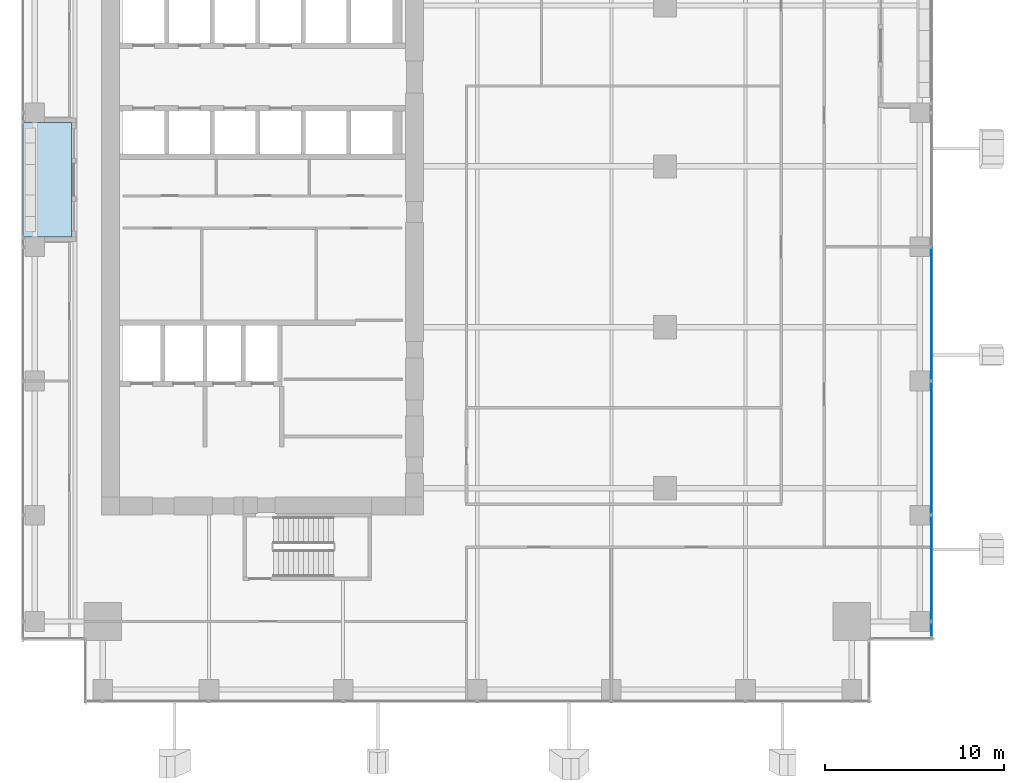
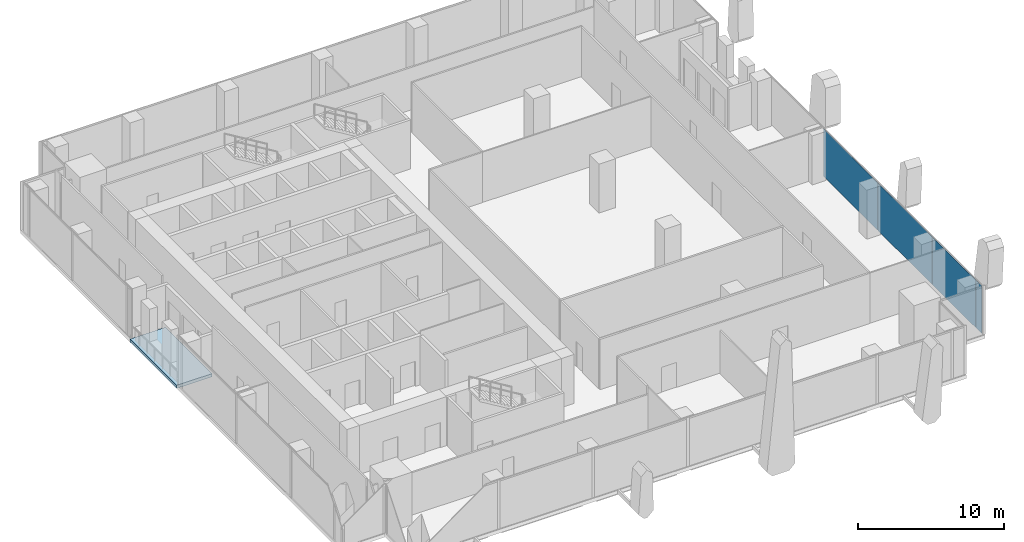
# One storey, part 25 of 35: 4 plates, 1 slab, 1 element without a shape of its own.
"""IFC4 building model written with IfcOpenShell, lengths in metres."""

from ifc_helpers import new_model, si_unit, direction, frame, origin, origin_2d, place, context, subcontext, project, spatial, polyline, rectangle, outline, extrude, source, transform, mapped, material, layer, layer_set, type_object, element, aggregate, save


model = new_model("IFC4")

# Units and contexts
model_context = context("Model", 3, precision=1e-05, world=origin(), true_north=direction((0.0, 1.0)))
body_context = subcontext(model_context, "Body", "Model", "MODEL_VIEW")
ifc_project = project(units=[si_unit("LENGTHUNIT", "METRE"), si_unit("AREAUNIT", "SQUARE_METRE"), si_unit("VOLUMEUNIT", "CUBIC_METRE"), si_unit("PLANEANGLEUNIT", "RADIAN"), si_unit("MASSUNIT", "GRAM", prefix="KILO")], contexts=[model_context])

# Site, building, storey
site_placement = place(None, origin())
site = spatial("IfcSite", under=ifc_project, at=site_placement, CompositionType="ELEMENT")
building_placement = place(site_placement, origin())
building = spatial("IfcBuilding", under=site, at=building_placement, Name="Khomas Fold Tower", CompositionType="ELEMENT")
storey_placement = place(building_placement, frame((0.0, 0.0, 136.699951171875)))
storey = spatial("IfcBuildingStorey", under=building, at=storey_placement, Name="L29", CompositionType="ELEMENT", Elevation=136.699951171875)

# Curtain wall, plates
ifc_material_1 = material(Name="Aluminium framed double glazing", Category="aluminium")
curtain_wall_type = type_object("IfcCurtainWallType", Name="SK-Unitised clear-glass wall, growing floors CW1", PredefinedType="NOTDEFINED", material=ifc_material_1)
curtain_wall_placement = place(storey_placement, origin())
curtain_wall = element("IfcCurtainWall", 1, at=curtain_wall_placement, inside=storey, type_object=curtain_wall_type, Name="CW1 run L29 03-0", PredefinedType="NOTDEFINED")
ifc_material_2 = material(Name="Clear double glazed unit")
ifc_layer_1 = layer(ifc_material_2, 0.031982421875)
ifc_layer_set_1 = layer_set([ifc_layer_1], Name="Clear double glazed unit")
plate_type = type_object("IfcPlateType", Name="SK-Unitised clear-glass wall, growing floors glass panel CW1-P", PredefinedType="CURTAIN_PANEL", material=ifc_layer_set_1)
shared_shape_1 = source(origin(), body_context, "Body", "SweptSolid", [
    extrude(rectangle(XDim=0.760009765625, YDim=0.031982421875, at=origin_2d()), origin(), (0.0, 0.0, 1.0), 3.97998046875),
])
plate_1_placement = place(storey_placement, frame((52.39990234375, 5.639892578125, 0.0), z_axis=(0.0, 0.0, 1.0), x_axis=(0.0, 1.0, 0.0)))
plate_1 = element("IfcPlate", 2, at=plate_1_placement, type_object=plate_type, Name="CW1 glass panel 1", PredefinedType="CURTAIN_PANEL", context=body_context, shape_type="MappedRepresentation", body=[
    mapped(shared_shape_1, transform((0.0, 0.0, 0.0))),
])
shared_shape_2 = source(origin(), body_context, "Body", "SweptSolid", [
    extrude(rectangle(XDim=5.889892578125, YDim=0.031982421875, at=origin_2d()), origin(), (0.0, 0.0, 1.0), 3.97998046875),
])
plate_2_placement = place(storey_placement, frame((52.39990234375, 9.02490234375, 0.0), z_axis=(0.0, 0.0, 1.0), x_axis=(0.0, 1.0, 0.0)))
plate_2 = element("IfcPlate", 3, at=plate_2_placement, type_object=plate_type, Name="CW1 glass panel 2", PredefinedType="CURTAIN_PANEL", context=body_context, shape_type="MappedRepresentation", body=[
    mapped(shared_shape_2, transform((0.0, 0.0, 0.0))),
])
shared_shape_3 = source(origin(), body_context, "Body", "SweptSolid", [
    extrude(rectangle(XDim=7.43994140625, YDim=0.031982421875, at=origin_2d()), origin(), (0.0, 0.0, 1.0), 3.97998046875),
])
plate_3_placement = place(storey_placement, frame((52.39990234375, 15.75, 0.0), z_axis=(0.0, 0.0, 1.0), x_axis=(0.0, 1.0, 0.0)))
plate_3 = element("IfcPlate", 4, at=plate_3_placement, type_object=plate_type, Name="CW1 glass panel 3", PredefinedType="CURTAIN_PANEL", context=body_context, shape_type="MappedRepresentation", body=[
    mapped(shared_shape_3, transform((0.0, 0.0, 0.0))),
])
plate_4_placement = place(storey_placement, frame((52.39990234375, 23.25, 0.0), z_axis=(0.0, 0.0, 1.0), x_axis=(0.0, 1.0, 0.0)))
plate_4 = element("IfcPlate", 5, at=plate_4_placement, type_object=plate_type, Name="CW1 glass panel 4", PredefinedType="CURTAIN_PANEL", context=body_context, shape_type="MappedRepresentation", body=[
    mapped(shared_shape_3, transform((0.0, 0.0, 0.0))),
])
aggregate(curtain_wall, [plate_1, plate_2, plate_3, plate_4])

# Slab
ifc_material_3 = material(Name="Concrete C40/50", Category="concrete")
ifc_layer_2 = layer(ifc_material_3, 0.2548828125)
ifc_layer_set_2 = layer_set([ifc_layer_2], Name="Concrete C40/50")
slab_type = type_object("IfcSlabType", Name="BL-Balcony deck 255", PredefinedType="FLOOR", material=ifc_layer_set_2)
shared_shape_4 = source(origin(), body_context, "Body", "SweptSolid", [
    extrude(outline(polyline([(1.5, 27.550048828125), (4.300048828125, 27.550048828125), (4.300048828125, 33.949951171875), (1.5, 33.949951171875), (1.5, 27.550048828125)])), origin(), (0.0, 0.0, 1.0), 0.255126953125),
])
slab_placement = place(storey_placement, frame((0.0, 0.0, -0.300048828125)))
element("IfcSlab", 6, at=slab_placement, inside=storey, type_object=slab_type, Name="Balcony deck BAL-L29-W3", PredefinedType="FLOOR", context=body_context, shape_type="MappedRepresentation", body=[
    mapped(shared_shape_4, transform((0.0, 0.0, 0.0))),
])

save(model, "model.ifc")
